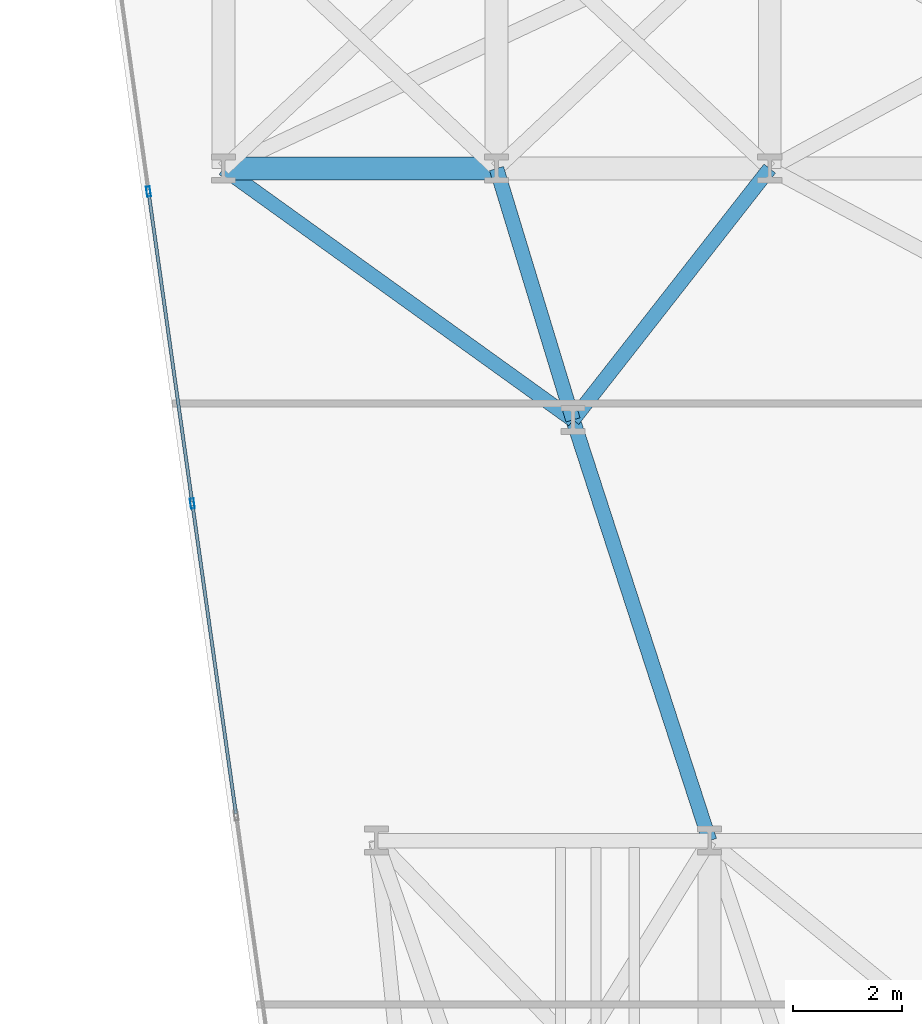
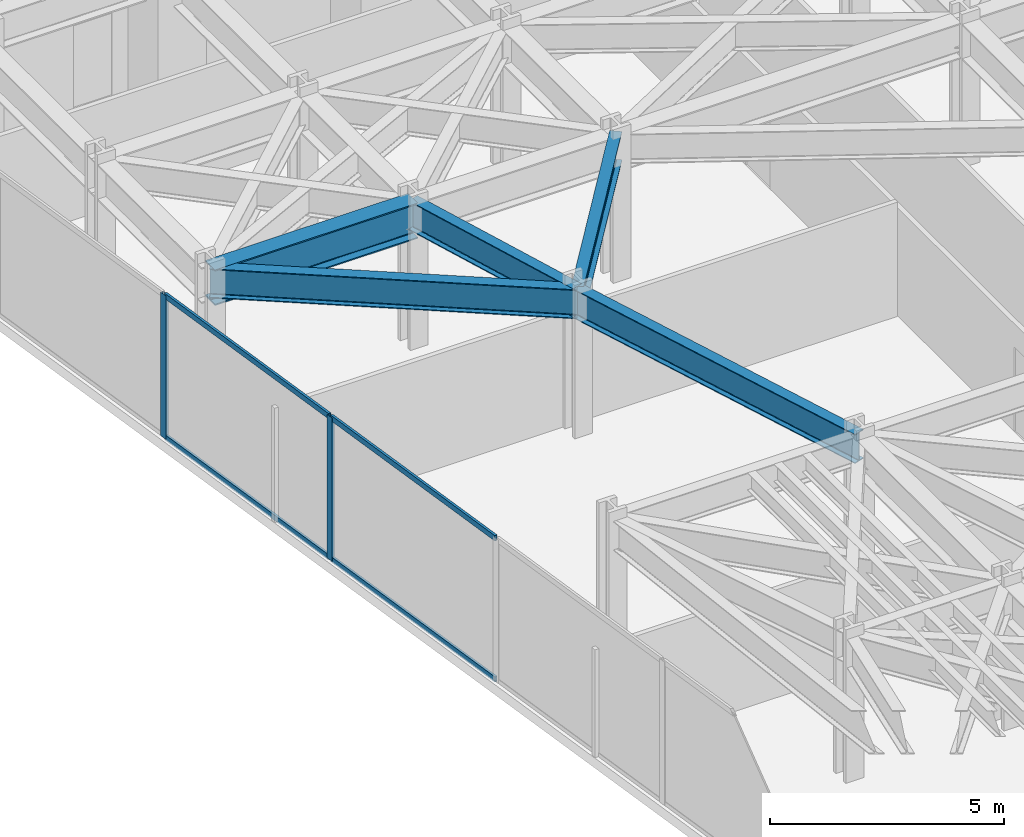
# One storey, part 7 of 24: 6 members, 5 beams, 1 element without a shape of its own.
"""IFC4 building model written with IfcOpenShell, lengths in metres."""

from ifc_helpers import new_model, si_unit, direction, frame, origin, origin_2d, place, context, subcontext, project, spatial, hollow_rectangle, i_section, extrude, material, layer, layer_set, material_profile, profile_set, type_object, element, aggregate, save


model = new_model("IFC4")

# Units and contexts
model_context = context("Model", 3, precision=1e-05, world=origin(), true_north=direction((0.0, 1.0)))
body_context = subcontext(model_context, "Body", "Model", "MODEL_VIEW")
ifc_project = project(units=[si_unit("LENGTHUNIT", "METRE"), si_unit("AREAUNIT", "SQUARE_METRE"), si_unit("VOLUMEUNIT", "CUBIC_METRE"), si_unit("PLANEANGLEUNIT", "RADIAN"), si_unit("MASSUNIT", "GRAM", prefix="KILO")], contexts=[model_context])

# Site, building, storey
site_placement = place(None, origin())
site = spatial("IfcSite", under=ifc_project, at=site_placement, CompositionType="ELEMENT")
building_placement = place(site_placement, origin())
building = spatial("IfcBuilding", under=site, at=building_placement, Name="Kravanh Interchange Tower", CompositionType="ELEMENT")
storey_placement = place(building_placement, frame((0.0, 0.0, 45.5)))
storey = spatial("IfcBuildingStorey", under=building, at=storey_placement, Name="L10", CompositionType="ELEMENT", Elevation=45.5)

# Curtain wall, members
ifc_material_1 = material(Name="Anodised Bronze Aluminium", Category="aluminium")
ifc_layer = layer(ifc_material_1, 0.179931640625)
ifc_layer_set = layer_set([ifc_layer], Name="Unitised Curtain Wall System CW-Z1 Lower Office")
curtain_wall_type = type_object("IfcCurtainWallType", Name="Unitised Curtain Wall System CW-Z1 Lower Office", PredefinedType="NOTDEFINED", material=ifc_layer_set)
curtain_wall_placement = place(storey_placement, origin())
curtain_wall = element("IfcCurtainWall", 1, at=curtain_wall_placement, inside=storey, type_object=curtain_wall_type, Name="L10 Unitised Curtain Wall CW-L10-01", PredefinedType="NOTDEFINED")
ifc_material_2 = material(Name="Anodised Bronze Aluminium", Category="aluminium")
ifc_material_profile_1 = material_profile(ifc_material_2, hollow_rectangle(XDim=0.070068359375, YDim=0.179931640625, WallThickness=0.00390625, at=origin_2d()), Name="ALU70X180X4")
ifc_profile_set_1 = profile_set([ifc_material_profile_1], Name="Anodised Bronze Aluminium")
member_type_1 = type_object("IfcMemberType", Name="Curtain Wall Mullion ALU70X180X4 Bronze", PredefinedType="MULLION", material=ifc_profile_set_1)
member_1_placement = place(storey_placement, frame((8.03271484375, 20.66845703125, 0.0), z_axis=(0.0, 0.0, 1.0), x_axis=(-0.990267585682, -0.139176538065, 0.0)))
member_1 = element("IfcMember", 2, at=member_1_placement, type_object=member_type_1, Name="CW-Z1 mullion 4", PredefinedType="MULLION", context=body_context, shape_type="SweptSolid", body=[
    extrude(hollow_rectangle(XDim=0.070068359375, YDim=0.179931640625, WallThickness=0.00390625, at=origin_2d()), origin(), (0.0, 0.0, 1.0), 3.739990234375),
])
member_2_placement = place(storey_placement, frame((7.22998046875, 26.37890625, 0.0), z_axis=(0.0, 0.0, 1.0), x_axis=(-0.990267585682, -0.139176538065, 0.0)))
member_2 = element("IfcMember", 3, at=member_2_placement, type_object=member_type_1, Name="CW-Z1 mullion 5", PredefinedType="MULLION", context=body_context, shape_type="SweptSolid", body=[
    extrude(hollow_rectangle(XDim=0.070068359375, YDim=0.179931640625, WallThickness=0.00390625, at=origin_2d()), origin(), (0.0, 0.0, 1.0), 3.739990234375),
])
ifc_material_3 = material(Name="Anodised Bronze Aluminium", Category="aluminium")
ifc_material_profile_2 = material_profile(ifc_material_3, hollow_rectangle(XDim=0.06005859375, YDim=0.139892578125, WallThickness=0.00390625, at=origin_2d()), Name="ALU60X140X4")
ifc_profile_set_2 = profile_set([ifc_material_profile_2], Name="Anodised Bronze Aluminium")
member_type_2 = type_object("IfcMemberType", Name="Curtain Wall Transom ALU60X140X4 Bronze", PredefinedType="USERDEFINED", material=ifc_profile_set_2)
member_3_placement = place(storey_placement, frame((8.830322265625, 14.992431640625, 0.030029296875), z_axis=(-0.139153051789, 0.990270886262, 0.0), x_axis=(-0.990270886262, -0.139153051789, 0.0)))
member_3 = element("IfcMember", 4, at=member_3_placement, type_object=member_type_2, Name="CW-Z1 transom 3.1", ObjectType="TRANSOM", PredefinedType="USERDEFINED", context=body_context, shape_type="SweptSolid", body=[
    extrude(hollow_rectangle(XDim=0.06005859375, YDim=0.139892578125, WallThickness=0.00390625, at=origin_2d()), origin(), (0.0, 0.0, 1.0), 5.69677734375),
])
member_4_placement = place(storey_placement, frame((8.830322265625, 14.992431640625, 3.7099609375), z_axis=(-0.139153051789, 0.990270886262, 0.0), x_axis=(-0.990270886262, -0.139153051789, 0.0)))
member_4 = element("IfcMember", 5, at=member_4_placement, type_object=member_type_2, Name="CW-Z1 transom 3.2", ObjectType="TRANSOM", PredefinedType="USERDEFINED", context=body_context, shape_type="SweptSolid", body=[
    extrude(hollow_rectangle(XDim=0.06005859375, YDim=0.139892578125, WallThickness=0.00390625, at=origin_2d()), origin(), (0.0, 0.0, 1.0), 5.69677734375),
])
member_5_placement = place(storey_placement, frame((8.02783203125, 20.703125, 0.030029296875), z_axis=(-0.139200984921, 0.990264149506, 0.0), x_axis=(-0.990264149506, -0.139200984921, 0.0)))
member_5 = element("IfcMember", 6, at=member_5_placement, type_object=member_type_2, Name="CW-Z1 transom 4.1", ObjectType="TRANSOM", PredefinedType="USERDEFINED", context=body_context, shape_type="SweptSolid", body=[
    extrude(hollow_rectangle(XDim=0.06005859375, YDim=0.139892578125, WallThickness=0.00390625, at=origin_2d()), origin(), (0.0, 0.0, 1.0), 5.696533203125),
])
member_6_placement = place(storey_placement, frame((8.02783203125, 20.703125, 3.7099609375), z_axis=(-0.139200984921, 0.990264149506, 0.0), x_axis=(-0.990264149506, -0.139200984921, 0.0)))
member_6 = element("IfcMember", 7, at=member_6_placement, type_object=member_type_2, Name="CW-Z1 transom 4.2", ObjectType="TRANSOM", PredefinedType="USERDEFINED", context=body_context, shape_type="SweptSolid", body=[
    extrude(hollow_rectangle(XDim=0.06005859375, YDim=0.139892578125, WallThickness=0.00390625, at=origin_2d()), origin(), (0.0, 0.0, 1.0), 5.696533203125),
])
aggregate(curtain_wall, [member_1, member_2, member_3, member_4, member_5, member_6])

# Beams
ifc_material_4 = material(Name="Structural Steel S355", Category="steel")
ifc_material_profile_3 = material_profile(ifc_material_4, i_section(OverallWidth=0.41796875, OverallDepth=0.927001953125, WebThickness=0.019287109375, FlangeThickness=0.031982421875, FilletRadius=0.028076171875, at=origin_2d()), Name="W36X231")
ifc_profile_set_3 = profile_set([ifc_material_profile_3], Name="Structural Steel S355")
beam_type_1 = type_object("IfcBeamType", Name="Floor Beam W36X231 Structural Steel S355", PredefinedType="BEAM", material=ifc_profile_set_3)
beam_1_placement = place(storey_placement, frame((8.60009765625, 26.800048828125, 3.276611328125), z_axis=(1.0, 0.0, 0.0), x_axis=(0.0, 1.0, 0.0)))
element("IfcBeam", 8, at=beam_1_placement, inside=storey, type_object=beam_type_1, Name="L10 Primary Floor Girder 67", PredefinedType="BEAM", context=body_context, shape_type="SweptSolid", body=[
    extrude(i_section(OverallWidth=0.41796875, OverallDepth=0.927001953125, WebThickness=0.019287109375, FlangeThickness=0.031982421875, FilletRadius=0.028076171875, at=origin_2d()), origin(), (0.0, 0.0, 1.0), 5.0),
])
ifc_material_5 = material(Name="Structural Steel S355", Category="steel")
ifc_material_profile_4 = material_profile(ifc_material_5, i_section(OverallWidth=0.26708984375, OverallDepth=0.761962890625, WebThickness=0.014404296875, FlangeThickness=0.021484375, FilletRadius=0.02490234375, at=origin_2d()), Name="W30X116")
ifc_profile_set_4 = profile_set([ifc_material_profile_4], Name="Structural Steel S355")
beam_type_2 = type_object("IfcBeamType", Name="Floor Spandrel W30X116 Structural Steel S355", PredefinedType="SPANDREL", material=ifc_profile_set_4)
beam_2_placement = place(storey_placement, frame((15.0, 22.199951171875, 3.35888671875), z_axis=(-0.291137370727, 0.956681259023, 0.0), x_axis=(-0.956681259023, -0.291137370727, 0.0)))
element("IfcBeam", 9, at=beam_2_placement, inside=storey, type_object=beam_type_2, Name="L10 Perimeter Spandrel 50", PredefinedType="SPANDREL", context=body_context, shape_type="SweptSolid", body=[
    extrude(i_section(OverallWidth=0.26708984375, OverallDepth=0.761962890625, WebThickness=0.014404296875, FlangeThickness=0.021484375, FilletRadius=0.02490234375, at=origin_2d()), origin(), (0.0, 0.0, 1.0), 4.808349609375),
])
beam_3_placement = place(storey_placement, frame((15.0, 22.199951171875, 3.35888671875), z_axis=(0.616310515553, 0.787503237085, 0.0), x_axis=(-0.787503237085, 0.616310515553, 0.0)))
element("IfcBeam", 10, at=beam_3_placement, inside=storey, type_object=beam_type_2, Name="L10 Perimeter Spandrel 51", PredefinedType="SPANDREL", context=body_context, shape_type="SweptSolid", body=[
    extrude(i_section(OverallWidth=0.26708984375, OverallDepth=0.761962890625, WebThickness=0.014404296875, FlangeThickness=0.021484375, FilletRadius=0.02490234375, at=origin_2d()), origin(), (0.0, 0.0, 1.0), 5.84130859375),
])
beam_4_placement = place(storey_placement, frame((15.0, 22.199951171875, 3.35888671875), z_axis=(-0.812005278585, 0.583650089994, 0.0), x_axis=(-0.583650089994, -0.812005278585, 0.0)))
element("IfcBeam", 11, at=beam_4_placement, inside=storey, type_object=beam_type_2, Name="L10 Perimeter Spandrel 52", PredefinedType="SPANDREL", context=body_context, shape_type="SweptSolid", body=[
    extrude(i_section(OverallWidth=0.26708984375, OverallDepth=0.761962890625, WebThickness=0.014404296875, FlangeThickness=0.021484375, FilletRadius=0.02490234375, at=origin_2d()), origin(), (0.0, 0.0, 1.0), 7.881591796875),
])
beam_5_placement = place(storey_placement, frame((15.0, 22.199951171875, 3.35888671875), z_axis=(0.30880852537, -0.951124226723, 0.0), x_axis=(0.951124226723, 0.30880852537, 0.0)))
element("IfcBeam", 12, at=beam_5_placement, inside=storey, type_object=beam_type_2, Name="L10 Perimeter Spandrel 53", PredefinedType="SPANDREL", context=body_context, shape_type="SweptSolid", body=[
    extrude(i_section(OverallWidth=0.26708984375, OverallDepth=0.761962890625, WebThickness=0.014404296875, FlangeThickness=0.021484375, FilletRadius=0.02490234375, at=origin_2d()), origin(), (0.0, 0.0, 1.0), 8.095703125),
])

save(model, "model.ifc")
